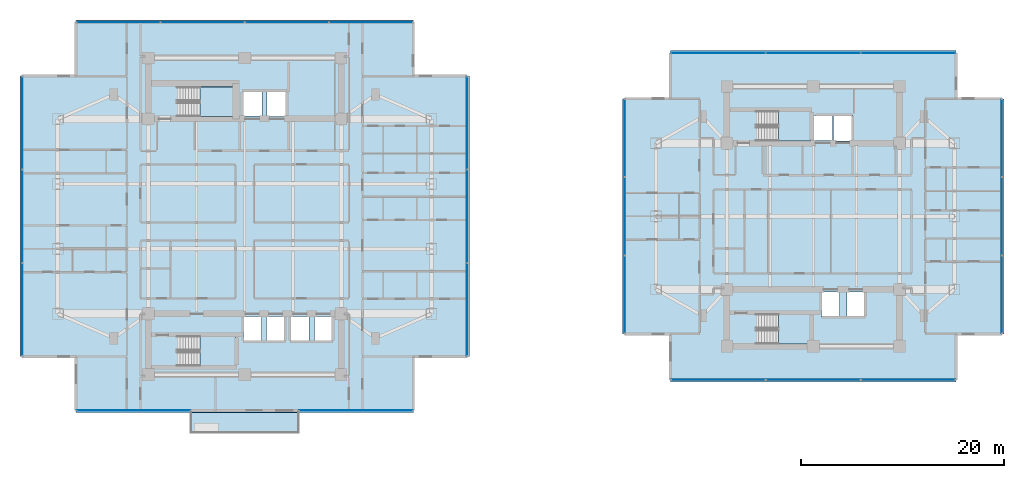
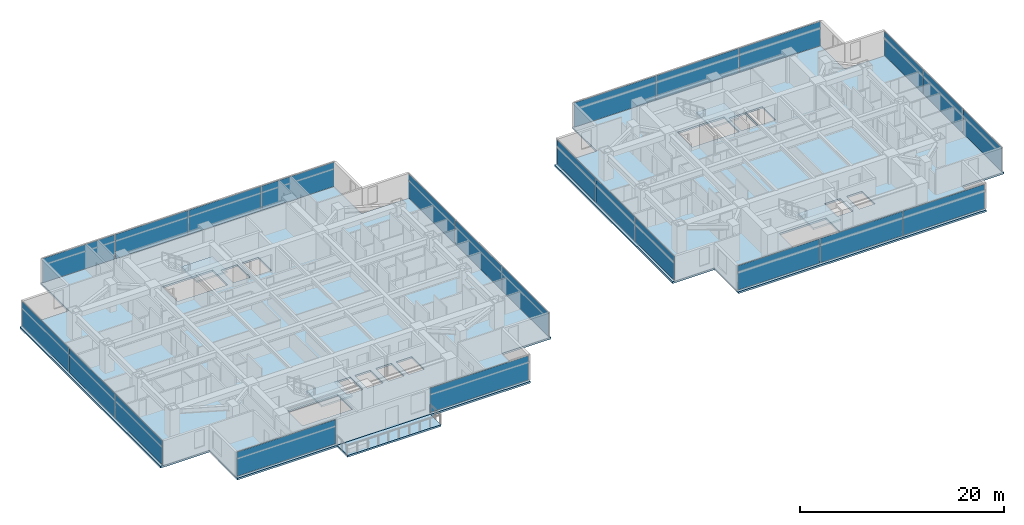
# One storey, part 12 of 26: 24 plates, 7 slabs, 13 elements without a shape of their own.
"""IFC4 building model written with IfcOpenShell, lengths in metres."""

from ifc_helpers import new_model, si_unit, direction, frame, origin, origin_2d, place, context, subcontext, project, spatial, polyline, rectangle, outline, extrude, material, layer, layer_set, type_object, element, aggregate, save


model = new_model("IFC4")

# Units and contexts
model_context = context("Model", 3, precision=1e-05, world=origin(), true_north=direction((0.0, 1.0)))
body_context = subcontext(model_context, "Body", "Model", "MODEL_VIEW")
ifc_project = project(units=[si_unit("LENGTHUNIT", "METRE"), si_unit("AREAUNIT", "SQUARE_METRE"), si_unit("VOLUMEUNIT", "CUBIC_METRE"), si_unit("PLANEANGLEUNIT", "RADIAN"), si_unit("MASSUNIT", "GRAM", prefix="KILO")], contexts=[model_context])

# Site, building, storey
site_placement = place(None, origin())
site = spatial("IfcSite", under=ifc_project, at=site_placement, CompositionType="ELEMENT")
building_placement = place(site_placement, origin())
building = spatial("IfcBuilding", under=site, at=building_placement, Name="Mirazonda Arch Towers", CompositionType="ELEMENT")
storey_placement = place(building_placement, frame((0.0, 0.0, 108.199951171875)))
storey = spatial("IfcBuildingStorey", under=building, at=storey_placement, Name="L30", CompositionType="ELEMENT", Elevation=108.199951171875)

# Curtain wall, plate
ifc_material_1 = material(Name="Anodised Aluminium and Low-E Glass", Category="aluminium")
curtain_wall_type = type_object("IfcCurtainWallType", Name="CW-HTL-UNIT", PredefinedType="NOTDEFINED", material=ifc_material_1)
curtain_wall_1_placement = place(storey_placement, origin())
curtain_wall_1 = element("IfcCurtainWall", 1, at=curtain_wall_1_placement, inside=storey, type_object=curtain_wall_type, Name="L30 Curtain Wall CW-L30-T1-SA", PredefinedType="NOTDEFINED")
ifc_material_2 = material(Name="Insulated Low-E Solar Glass", Category="glass")
ifc_layer_1 = layer(ifc_material_2, 0.035888671875, Name="PAN-CW-HTL-UNIT")
ifc_layer_set_1 = layer_set([ifc_layer_1], Name="Insulated Low-E Solar Glass")
plate_type = type_object("IfcPlateType", Name="PAN-CW-HTL-UNIT", PredefinedType="CURTAIN_PANEL", material=ifc_layer_set_1)
plate_1_placement = place(storey_placement, frame((31.447509765625, 8.882080078125, 0.0751953125), z_axis=(0.0, 0.0, 1.0), x_axis=(-1.0, 0.0, 0.0)))
plate_1 = element("IfcPlate", 2, at=plate_1_placement, type_object=plate_type, Name="CW-112 panel 1.1", PredefinedType="CURTAIN_PANEL", context=body_context, shape_type="SweptSolid", body=[
    extrude(rectangle(XDim=11.1650390625, YDim=0.035888671875, at=origin_2d()), origin(), (0.0, 0.0, 1.0), 2.909912109375),
])
aggregate(curtain_wall_1, [plate_1])

curtain_wall_2_placement = place(storey_placement, origin())
curtain_wall_2 = element("IfcCurtainWall", 3, at=curtain_wall_2_placement, inside=storey, type_object=curtain_wall_type, Name="L30 Curtain Wall CW-L30-T1-SB", PredefinedType="NOTDEFINED")
plate_2_placement = place(storey_placement, frame((9.552490234375, 8.882080078125, 0.0751953125), z_axis=(0.0, 0.0, 1.0), x_axis=(-1.0, 0.0, 0.0)))
plate_2 = element("IfcPlate", 4, at=plate_2_placement, type_object=plate_type, Name="CW-112 panel 1.1", PredefinedType="CURTAIN_PANEL", context=body_context, shape_type="SweptSolid", body=[
    extrude(rectangle(XDim=11.1650390625, YDim=0.035888671875, at=origin_2d()), origin(), (0.0, 0.0, 1.0), 2.909912109375),
])
aggregate(curtain_wall_2, [plate_2])

# Curtain wall, plates
curtain_wall_3_placement = place(storey_placement, origin())
curtain_wall_3 = element("IfcCurtainWall", 5, at=curtain_wall_3_placement, inside=storey, type_object=curtain_wall_type, Name="L30 T1 E Facade CW-L30-T1-E", PredefinedType="NOTDEFINED")
plate_3_placement = place(storey_placement, frame((42.409912109375, 18.81005859375, 0.0751953125), z_axis=(0.0, 0.0, 1.0), x_axis=(0.0, 1.0, 0.0)))
plate_3 = element("IfcPlate", 6, at=plate_3_placement, type_object=plate_type, Name="CW-112 panel 1.1", PredefinedType="CURTAIN_PANEL", context=body_context, shape_type="SweptSolid", body=[
    extrude(rectangle(XDim=9.09619140625, YDim=0.035888671875, at=origin_2d()), origin(), (0.0, 0.0, 1.0), 2.909912109375),
])
plate_4_placement = place(storey_placement, frame((42.409912109375, 28.0, 0.0751953125), z_axis=(0.0, 0.0, 1.0), x_axis=(0.0, 1.0, 0.0)))
plate_4 = element("IfcPlate", 7, at=plate_4_placement, type_object=plate_type, Name="CW-112 panel 2.1", PredefinedType="CURTAIN_PANEL", context=body_context, shape_type="SweptSolid", body=[
    extrude(rectangle(XDim=9.133544921875, YDim=0.035888671875, at=origin_2d()), origin(), (0.0, 0.0, 1.0), 2.909912109375),
])
plate_5_placement = place(storey_placement, frame((42.409912109375, 37.18994140625, 0.0751953125), z_axis=(0.0, 0.0, 1.0), x_axis=(0.0, 1.0, 0.0)))
plate_5 = element("IfcPlate", 8, at=plate_5_placement, type_object=plate_type, Name="CW-112 panel 3.1", PredefinedType="CURTAIN_PANEL", context=body_context, shape_type="SweptSolid", body=[
    extrude(rectangle(XDim=9.09619140625, YDim=0.035888671875, at=origin_2d()), origin(), (0.0, 0.0, 1.0), 2.909912109375),
])
aggregate(curtain_wall_3, [plate_3, plate_4, plate_5])

curtain_wall_4_placement = place(storey_placement, origin())
curtain_wall_4 = element("IfcCurtainWall", 9, at=curtain_wall_4_placement, inside=storey, type_object=curtain_wall_type, Name="L30 T1 N Facade CW-L30-T1-N", PredefinedType="NOTDEFINED")
plate_6_placement = place(storey_placement, frame((8.06494140625, 47.117919921875, 0.0751953125), z_axis=(0.0, 0.0, 1.0), x_axis=(1.0, 0.0, 0.0)))
plate_6 = element("IfcPlate", 10, at=plate_6_placement, type_object=plate_type, Name="CW-112 panel 1.1", PredefinedType="CURTAIN_PANEL", context=body_context, shape_type="SweptSolid", body=[
    extrude(rectangle(XDim=8.18994140625, YDim=0.035888671875, at=origin_2d()), origin(), (0.0, 0.0, 1.0), 2.909912109375),
])
plate_7_placement = place(storey_placement, frame((16.3486328125, 47.117919921875, 0.0751953125), z_axis=(0.0, 0.0, 1.0), x_axis=(1.0, 0.0, 0.0)))
plate_7 = element("IfcPlate", 11, at=plate_7_placement, type_object=plate_type, Name="CW-112 panel 2.1", PredefinedType="CURTAIN_PANEL", context=body_context, shape_type="SweptSolid", body=[
    extrude(rectangle(XDim=8.2275390625, YDim=0.035888671875, at=origin_2d()), origin(), (0.0, 0.0, 1.0), 2.909912109375),
])
plate_8_placement = place(storey_placement, frame((24.6513671875, 47.117919921875, 0.0751953125), z_axis=(0.0, 0.0, 1.0), x_axis=(1.0, 0.0, 0.0)))
plate_8 = element("IfcPlate", 12, at=plate_8_placement, type_object=plate_type, Name="CW-112 panel 3.1", PredefinedType="CURTAIN_PANEL", context=body_context, shape_type="SweptSolid", body=[
    extrude(rectangle(XDim=8.2275390625, YDim=0.035888671875, at=origin_2d()), origin(), (0.0, 0.0, 1.0), 2.909912109375),
])
plate_9_placement = place(storey_placement, frame((32.93505859375, 47.117919921875, 0.0751953125), z_axis=(0.0, 0.0, 1.0), x_axis=(1.0, 0.0, 0.0)))
plate_9 = element("IfcPlate", 13, at=plate_9_placement, type_object=plate_type, Name="CW-112 panel 4.1", PredefinedType="CURTAIN_PANEL", context=body_context, shape_type="SweptSolid", body=[
    extrude(rectangle(XDim=8.18994140625, YDim=0.035888671875, at=origin_2d()), origin(), (0.0, 0.0, 1.0), 2.909912109375),
])
aggregate(curtain_wall_4, [plate_6, plate_7, plate_8, plate_9])

curtain_wall_5_placement = place(storey_placement, origin())
curtain_wall_5 = element("IfcCurtainWall", 14, at=curtain_wall_5_placement, inside=storey, type_object=curtain_wall_type, Name="L30 T1 W Facade CW-L30-T1-W", PredefinedType="NOTDEFINED")
plate_10_placement = place(storey_placement, frame((-1.409912109375, 37.18994140625, 0.0751953125), z_axis=(0.0, 0.0, 1.0), x_axis=(0.0, -1.0, 0.0)))
plate_10 = element("IfcPlate", 15, at=plate_10_placement, type_object=plate_type, Name="CW-112 panel 1.1", PredefinedType="CURTAIN_PANEL", context=body_context, shape_type="SweptSolid", body=[
    extrude(rectangle(XDim=9.09619140625, YDim=0.035888671875, at=origin_2d()), origin(), (0.0, 0.0, 1.0), 2.909912109375),
])
plate_11_placement = place(storey_placement, frame((-1.409912109375, 28.0, 0.0751953125), z_axis=(0.0, 0.0, 1.0), x_axis=(0.0, -1.0, 0.0)))
plate_11 = element("IfcPlate", 16, at=plate_11_placement, type_object=plate_type, Name="CW-112 panel 2.1", PredefinedType="CURTAIN_PANEL", context=body_context, shape_type="SweptSolid", body=[
    extrude(rectangle(XDim=9.133544921875, YDim=0.035888671875, at=origin_2d()), origin(), (0.0, 0.0, 1.0), 2.909912109375),
])
plate_12_placement = place(storey_placement, frame((-1.409912109375, 18.81005859375, 0.0751953125), z_axis=(0.0, 0.0, 1.0), x_axis=(0.0, -1.0, 0.0)))
plate_12 = element("IfcPlate", 17, at=plate_12_placement, type_object=plate_type, Name="CW-112 panel 3.1", PredefinedType="CURTAIN_PANEL", context=body_context, shape_type="SweptSolid", body=[
    extrude(rectangle(XDim=9.09619140625, YDim=0.035888671875, at=origin_2d()), origin(), (0.0, 0.0, 1.0), 2.909912109375),
])
aggregate(curtain_wall_5, [plate_10, plate_11, plate_12])

curtain_wall_6_placement = place(storey_placement, origin())
curtain_wall_6 = element("IfcCurtainWall", 18, at=curtain_wall_6_placement, inside=storey, type_object=curtain_wall_type, Name="L30 T2 S Facade CW-L30-T2-S", PredefinedType="NOTDEFINED")
plate_13_placement = place(storey_placement, frame((85.850830078125, 11.902587890625, 0.0751953125), z_axis=(0.0, 0.0, 1.0), x_axis=(-1.0, 0.0, 0.0)))
plate_13 = element("IfcPlate", 19, at=plate_13_placement, type_object=plate_type, Name="CW-112 panel 1.1", PredefinedType="CURTAIN_PANEL", context=body_context, shape_type="SweptSolid", body=[
    extrude(rectangle(XDim=9.257080078125, YDim=0.035888671875, at=origin_2d()), origin(), (0.0, 0.0, 1.0), 2.909912109375),
])
plate_14_placement = place(storey_placement, frame((76.5, 11.902587890625, 0.0751953125), z_axis=(0.0, 0.0, 1.0), x_axis=(-1.0, 0.0, 0.0)))
plate_14 = element("IfcPlate", 20, at=plate_14_placement, type_object=plate_type, Name="CW-112 panel 2.1", PredefinedType="CURTAIN_PANEL", context=body_context, shape_type="SweptSolid", body=[
    extrude(rectangle(XDim=9.29443359375, YDim=0.035888671875, at=origin_2d()), origin(), (0.0, 0.0, 1.0), 2.909912109375),
])
plate_15_placement = place(storey_placement, frame((67.149169921875, 11.902587890625, 0.0751953125), z_axis=(0.0, 0.0, 1.0), x_axis=(-1.0, 0.0, 0.0)))
plate_15 = element("IfcPlate", 21, at=plate_15_placement, type_object=plate_type, Name="CW-112 panel 3.1", PredefinedType="CURTAIN_PANEL", context=body_context, shape_type="SweptSolid", body=[
    extrude(rectangle(XDim=9.257080078125, YDim=0.035888671875, at=origin_2d()), origin(), (0.0, 0.0, 1.0), 2.909912109375),
])
aggregate(curtain_wall_6, [plate_13, plate_14, plate_15])

curtain_wall_7_placement = place(storey_placement, origin())
curtain_wall_7 = element("IfcCurtainWall", 22, at=curtain_wall_7_placement, inside=storey, type_object=curtain_wall_type, Name="L30 T2 E Facade CW-L30-T2-E", PredefinedType="NOTDEFINED")
plate_16_placement = place(storey_placement, frame((95.070556640625, 20.298095703125, 0.0751953125), z_axis=(0.0, 0.0, 1.0), x_axis=(0.0, 1.0, 0.0)))
plate_16 = element("IfcPlate", 23, at=plate_16_placement, type_object=plate_type, Name="CW-112 panel 1.1", PredefinedType="CURTAIN_PANEL", context=body_context, shape_type="SweptSolid", body=[
    extrude(rectangle(XDim=7.608154296875, YDim=0.035888671875, at=origin_2d()), origin(), (0.0, 0.0, 1.0), 2.909912109375),
])
plate_17_placement = place(storey_placement, frame((95.070556640625, 28.0, 0.0751953125), z_axis=(0.0, 0.0, 1.0), x_axis=(0.0, 1.0, 0.0)))
plate_17 = element("IfcPlate", 24, at=plate_17_placement, type_object=plate_type, Name="CW-112 panel 2.1", PredefinedType="CURTAIN_PANEL", context=body_context, shape_type="SweptSolid", body=[
    extrude(rectangle(XDim=7.645751953125, YDim=0.035888671875, at=origin_2d()), origin(), (0.0, 0.0, 1.0), 2.909912109375),
])
plate_18_placement = place(storey_placement, frame((95.070556640625, 35.701904296875, 0.0751953125), z_axis=(0.0, 0.0, 1.0), x_axis=(0.0, 1.0, 0.0)))
plate_18 = element("IfcPlate", 25, at=plate_18_placement, type_object=plate_type, Name="CW-112 panel 3.1", PredefinedType="CURTAIN_PANEL", context=body_context, shape_type="SweptSolid", body=[
    extrude(rectangle(XDim=7.608154296875, YDim=0.035888671875, at=origin_2d()), origin(), (0.0, 0.0, 1.0), 2.909912109375),
])
aggregate(curtain_wall_7, [plate_16, plate_17, plate_18])

curtain_wall_8_placement = place(storey_placement, origin())
curtain_wall_8 = element("IfcCurtainWall", 26, at=curtain_wall_8_placement, inside=storey, type_object=curtain_wall_type, Name="L30 T2 N Facade CW-L30-T2-N", PredefinedType="NOTDEFINED")
plate_19_placement = place(storey_placement, frame((67.149169921875, 44.097412109375, 0.0751953125), z_axis=(0.0, 0.0, 1.0), x_axis=(1.0, 0.0, 0.0)))
plate_19 = element("IfcPlate", 27, at=plate_19_placement, type_object=plate_type, Name="CW-112 panel 1.1", PredefinedType="CURTAIN_PANEL", context=body_context, shape_type="SweptSolid", body=[
    extrude(rectangle(XDim=9.257080078125, YDim=0.035888671875, at=origin_2d()), origin(), (0.0, 0.0, 1.0), 2.909912109375),
])
plate_20_placement = place(storey_placement, frame((76.5, 44.097412109375, 0.0751953125), z_axis=(0.0, 0.0, 1.0), x_axis=(1.0, 0.0, 0.0)))
plate_20 = element("IfcPlate", 28, at=plate_20_placement, type_object=plate_type, Name="CW-112 panel 2.1", PredefinedType="CURTAIN_PANEL", context=body_context, shape_type="SweptSolid", body=[
    extrude(rectangle(XDim=9.29443359375, YDim=0.035888671875, at=origin_2d()), origin(), (0.0, 0.0, 1.0), 2.909912109375),
])
plate_21_placement = place(storey_placement, frame((85.850830078125, 44.097412109375, 0.0751953125), z_axis=(0.0, 0.0, 1.0), x_axis=(1.0, 0.0, 0.0)))
plate_21 = element("IfcPlate", 29, at=plate_21_placement, type_object=plate_type, Name="CW-112 panel 3.1", PredefinedType="CURTAIN_PANEL", context=body_context, shape_type="SweptSolid", body=[
    extrude(rectangle(XDim=9.257080078125, YDim=0.035888671875, at=origin_2d()), origin(), (0.0, 0.0, 1.0), 2.909912109375),
])
aggregate(curtain_wall_8, [plate_19, plate_20, plate_21])

curtain_wall_9_placement = place(storey_placement, origin())
curtain_wall_9 = element("IfcCurtainWall", 30, at=curtain_wall_9_placement, inside=storey, type_object=curtain_wall_type, Name="L30 T2 W Facade CW-L30-T2-W", PredefinedType="NOTDEFINED")
plate_22_placement = place(storey_placement, frame((57.929443359375, 35.701904296875, 0.0751953125), z_axis=(0.0, 0.0, 1.0), x_axis=(0.0, -1.0, 0.0)))
plate_22 = element("IfcPlate", 31, at=plate_22_placement, type_object=plate_type, Name="CW-112 panel 1.1", PredefinedType="CURTAIN_PANEL", context=body_context, shape_type="SweptSolid", body=[
    extrude(rectangle(XDim=7.608154296875, YDim=0.035888671875, at=origin_2d()), origin(), (0.0, 0.0, 1.0), 2.909912109375),
])
plate_23_placement = place(storey_placement, frame((57.929443359375, 28.0, 0.0751953125), z_axis=(0.0, 0.0, 1.0), x_axis=(0.0, -1.0, 0.0)))
plate_23 = element("IfcPlate", 32, at=plate_23_placement, type_object=plate_type, Name="CW-112 panel 2.1", PredefinedType="CURTAIN_PANEL", context=body_context, shape_type="SweptSolid", body=[
    extrude(rectangle(XDim=7.645751953125, YDim=0.035888671875, at=origin_2d()), origin(), (0.0, 0.0, 1.0), 2.909912109375),
])
plate_24_placement = place(storey_placement, frame((57.929443359375, 20.298095703125, 0.0751953125), z_axis=(0.0, 0.0, 1.0), x_axis=(0.0, -1.0, 0.0)))
plate_24 = element("IfcPlate", 33, at=plate_24_placement, type_object=plate_type, Name="CW-112 panel 3.1", PredefinedType="CURTAIN_PANEL", context=body_context, shape_type="SweptSolid", body=[
    extrude(rectangle(XDim=7.608154296875, YDim=0.035888671875, at=origin_2d()), origin(), (0.0, 0.0, 1.0), 2.909912109375),
])
aggregate(curtain_wall_9, [plate_22, plate_23, plate_24])

# Stair, slab
ifc_material_3 = material(Name="Concrete C40/50", Category="concrete")
stair_type = type_object("IfcStairType", Name="STAIR-CORE-1400", PredefinedType="HALF_TURN_STAIR", material=ifc_material_3)
stair_1_placement = place(storey_placement, origin())
stair_1 = element("IfcStair", 34, at=stair_1_placement, inside=storey, type_object=stair_type, Name="L30 Protected Exit Stair ST-T1N", PredefinedType="HALF_TURN_STAIR")
ifc_layer_2 = layer(ifc_material_3, 0.18994140625, Name="SLAB-LANDING-190")
ifc_layer_set_2 = layer_set([ifc_layer_2], Name="Concrete C40/50")
slab_type_1 = type_object("IfcSlabType", Name="SLAB-LANDING-190", PredefinedType="LANDING", material=ifc_layer_set_2)
slab_1_placement = place(storey_placement, frame((0.0, 0.0, 1.449951171875)))
slab_1 = element("IfcSlab", 35, at=slab_1_placement, type_object=slab_type_1, Name="ST-T1N landing 1", PredefinedType="LANDING", context=body_context, shape_type="SweptSolid", body=[
    extrude(outline(polyline([(16.090087890625, 37.820068359375), (19.60009765625, 37.820068359375), (19.60009765625, 40.760009765625), (16.090087890625, 40.760009765625), (16.090087890625, 37.820068359375)])), origin(), (0.0, 0.0, 1.0), 0.2001953125),
])
aggregate(stair_1, [slab_1])

stair_2_placement = place(storey_placement, origin())
stair_2 = element("IfcStair", 36, at=stair_2_placement, inside=storey, type_object=stair_type, Name="L30 Protected Exit Stair ST-T1S", PredefinedType="HALF_TURN_STAIR")
slab_2_placement = place(storey_placement, frame((0.0, 0.0, 1.449951171875)))
slab_2 = element("IfcSlab", 37, at=slab_2_placement, type_object=slab_type_1, Name="ST-T1S landing 1", PredefinedType="LANDING", context=body_context, shape_type="SweptSolid", body=[
    extrude(outline(polyline([(16.090087890625, 13.25), (19.60009765625, 13.25), (19.60009765625, 16.18994140625), (16.090087890625, 16.18994140625), (16.090087890625, 13.25)])), origin(), (0.0, 0.0, 1.0), 0.2001953125),
])
aggregate(stair_2, [slab_2])

stair_3_placement = place(storey_placement, origin())
stair_3 = element("IfcStair", 38, at=stair_3_placement, inside=storey, type_object=stair_type, Name="L30 Protected Exit Stair ST-T2N", PredefinedType="HALF_TURN_STAIR")
slab_3_placement = place(storey_placement, frame((0.0, 0.0, 1.449951171875)))
slab_3 = element("IfcSlab", 39, at=slab_3_placement, type_object=slab_type_1, Name="ST-T2N landing 1", PredefinedType="LANDING", context=body_context, shape_type="SweptSolid", body=[
    extrude(outline(polyline([(73.090087890625, 35.419921875), (76.22998046875, 35.419921875), (76.22998046875, 38.360107421875), (73.090087890625, 38.360107421875), (73.090087890625, 35.419921875)])), origin(), (0.0, 0.0, 1.0), 0.2001953125),
])
aggregate(stair_3, [slab_3])

stair_4_placement = place(storey_placement, origin())
stair_4 = element("IfcStair", 40, at=stair_4_placement, inside=storey, type_object=stair_type, Name="L30 Protected Exit Stair ST-T2S", PredefinedType="HALF_TURN_STAIR")
slab_4_placement = place(storey_placement, frame((0.0, 0.0, 1.449951171875)))
slab_4 = element("IfcSlab", 41, at=slab_4_placement, type_object=slab_type_1, Name="ST-T2S landing 1", PredefinedType="LANDING", context=body_context, shape_type="SweptSolid", body=[
    extrude(outline(polyline([(73.090087890625, 15.419921875), (76.22998046875, 15.419921875), (76.22998046875, 18.360107421875), (73.090087890625, 18.360107421875), (73.090087890625, 15.419921875)])), origin(), (0.0, 0.0, 1.0), 0.2001953125),
])
aggregate(stair_4, [slab_4])

# Slabs
ifc_layer_3 = layer(ifc_material_3, 0.2099609375, Name="SLAB-TERRACE-210")
ifc_layer_set_3 = layer_set([ifc_layer_3], Name="Concrete C40/50")
slab_type_2 = type_object("IfcSlabType", Name="SLAB-TERRACE-210", PredefinedType="FLOOR", material=ifc_layer_set_3)
slab_5_placement = place(storey_placement, frame((0.0, 0.0, -0.2099609375)))
element("IfcSlab", 42, at=slab_5_placement, inside=storey, type_object=slab_type_2, Name="L30 T1 Spiralling Sky-Terrace Balcony Slab", PredefinedType="FLOOR", context=body_context, shape_type="SweptSolid", body=[
    extrude(outline(polyline([(15.199951171875, 6.612060546875), (25.800048828125, 6.612060546875), (25.800048828125, 8.672119140625), (15.199951171875, 8.672119140625), (15.199951171875, 6.612060546875)])), origin(), (0.0, 0.0, 1.0), 0.2099609375),
])
ifc_layer_4 = layer(ifc_material_3, 0.219970703125, Name="SLAB-TWR-220")
ifc_layer_set_4 = layer_set([ifc_layer_4], Name="Concrete C40/50")
slab_type_3 = type_object("IfcSlabType", Name="SLAB-TWR-220", PredefinedType="FLOOR", material=ifc_layer_set_4)
slab_6_placement = place(storey_placement, frame((0.0, 0.0, -0.219970703125)))
element("IfcSlab", 43, at=slab_6_placement, inside=storey, type_object=slab_type_3, Name="L30 Tower 1 Floor Slab", PredefinedType="FLOOR", context=body_context, shape_type="SweptSolid", body=[
    extrude(outline(polyline([(3.89501953125, 8.662109375), (37.10498046875, 8.662109375), (37.10498046875, 14.18701171875), (42.6298828125, 14.18701171875), (42.6298828125, 41.81298828125), (37.10498046875, 41.81298828125), (37.10498046875, 47.337890625), (3.89501953125, 47.337890625), (3.89501953125, 41.81298828125), (-1.6298828125, 41.81298828125), (-1.6298828125, 14.18701171875), (3.89501953125, 14.18701171875), (3.89501953125, 8.662109375)]), holes=[polyline([(27.360107421875, 18.139892578125), (29.139892578125, 18.139892578125), (29.139892578125, 15.659912109375), (27.360107421875, 15.659912109375), (27.360107421875, 18.139892578125)]), polyline([(25.06005859375, 18.139892578125), (26.840087890625, 18.139892578125), (26.840087890625, 15.659912109375), (25.06005859375, 15.659912109375), (25.06005859375, 18.139892578125)]), polyline([(22.7099609375, 40.389892578125), (24.590087890625, 40.389892578125), (24.590087890625, 37.81005859375), (22.7099609375, 37.81005859375), (22.7099609375, 40.389892578125)]), polyline([(22.659912109375, 18.139892578125), (24.43994140625, 18.139892578125), (24.43994140625, 15.659912109375), (22.659912109375, 15.659912109375), (22.659912109375, 18.139892578125)]), polyline([(20.31005859375, 40.340087890625), (22.18994140625, 40.340087890625), (22.18994140625, 37.860107421875), (20.31005859375, 37.860107421875), (20.31005859375, 40.340087890625)]), polyline([(20.360107421875, 18.139892578125), (22.139892578125, 18.139892578125), (22.139892578125, 15.659912109375), (20.360107421875, 15.659912109375), (20.360107421875, 18.139892578125)]), polyline([(13.925048828125, 13.25), (13.925048828125, 16.18994140625), (19.60009765625, 16.18994140625), (19.60009765625, 13.25), (13.925048828125, 13.25)]), polyline([(13.925048828125, 37.820068359375), (13.925048828125, 40.760009765625), (19.60009765625, 40.760009765625), (19.60009765625, 37.820068359375), (13.925048828125, 37.820068359375)])]), origin(), (0.0, 0.0, 1.0), 0.219970703125),
])
slab_7_placement = place(storey_placement, frame((0.0, 0.0, -0.219970703125)))
element("IfcSlab", 44, at=slab_7_placement, inside=storey, type_object=slab_type_3, Name="L30 Tower 2 Floor Slab", PredefinedType="FLOOR", context=body_context, shape_type="SweptSolid", body=[
    extrude(outline(polyline([(62.44580078125, 11.6826171875), (90.55419921875, 11.6826171875), (90.55419921875, 16.4189453125), (95.29052734375, 16.4189453125), (95.29052734375, 39.5810546875), (90.55419921875, 39.5810546875), (90.55419921875, 44.3173828125), (62.44580078125, 44.3173828125), (62.44580078125, 39.5810546875), (57.70947265625, 39.5810546875), (57.70947265625, 16.4189453125), (62.44580078125, 16.4189453125), (62.44580078125, 11.6826171875)]), holes=[polyline([(79.81005859375, 20.5400390625), (81.590087890625, 20.5400390625), (81.590087890625, 18.06005859375), (79.81005859375, 18.06005859375), (79.81005859375, 20.5400390625)]), polyline([(78.47998046875, 37.989990234375), (80.360107421875, 37.989990234375), (80.360107421875, 35.409912109375), (78.47998046875, 35.409912109375), (78.47998046875, 37.989990234375)]), polyline([(77.31005859375, 20.5400390625), (79.090087890625, 20.5400390625), (79.090087890625, 18.06005859375), (77.31005859375, 18.06005859375), (77.31005859375, 20.5400390625)]), polyline([(76.510009765625, 35.4599609375), (76.510009765625, 37.93994140625), (78.389892578125, 37.93994140625), (78.389892578125, 35.4599609375), (76.510009765625, 35.4599609375)]), polyline([(76.22998046875, 15.419921875), (70.925048828125, 15.419921875), (70.925048828125, 18.360107421875), (76.22998046875, 18.360107421875), (76.22998046875, 15.419921875)]), polyline([(70.925048828125, 35.419921875), (70.925048828125, 38.360107421875), (76.22998046875, 38.360107421875), (76.22998046875, 35.419921875), (70.925048828125, 35.419921875)])]), origin(), (0.0, 0.0, 1.0), 0.219970703125),
])

save(model, "model.ifc")
